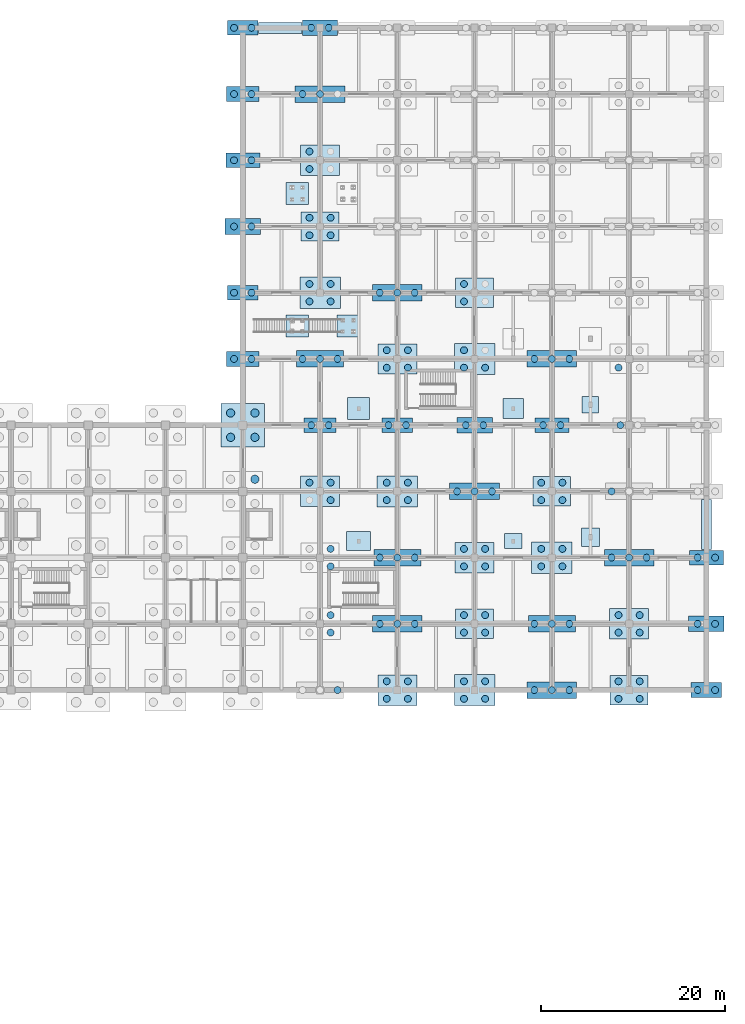
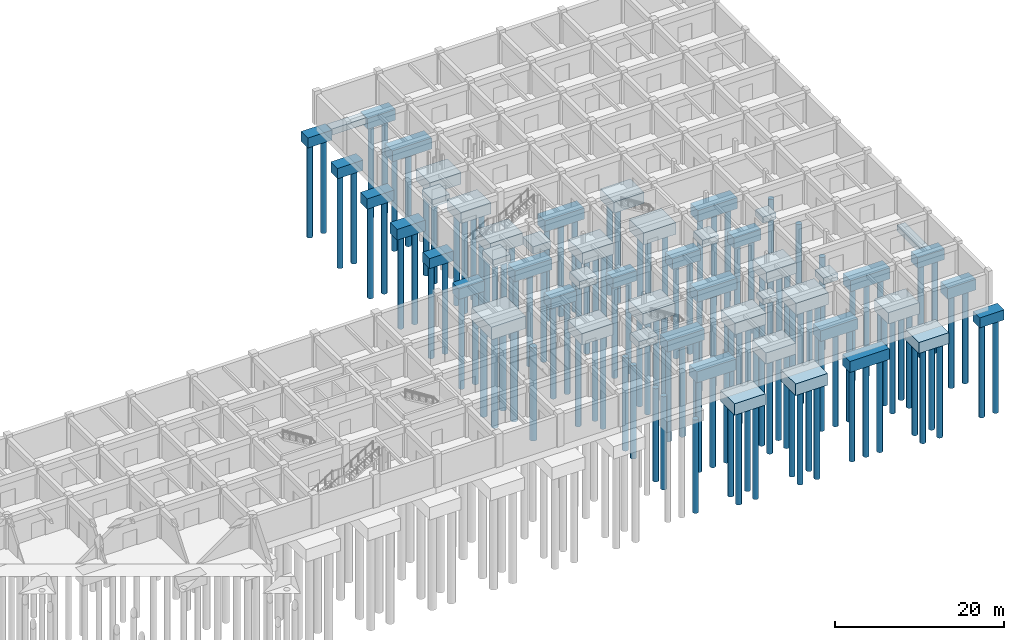
# One storey, part 4 of 38: 128 piles, 52 footings.
"""IFC4 building model written with IfcOpenShell, lengths in metres."""

from ifc_helpers import new_model, si_unit, derived_unit, direction, frame, origin, origin_2d, place, context, subcontext, project, spatial, rectangle, circle, extrude, material, material_profile, profile_set, type_object, element, save


model = new_model("IFC4")

# Units and contexts
model_context = context("Model", 3, precision=1e-05, world=origin(), true_north=direction((0.0, 1.0)))
body_context = subcontext(model_context, "Body", "Model", "MODEL_VIEW")
ifc_project = project(units=[si_unit("LENGTHUNIT", "METRE"), si_unit("AREAUNIT", "SQUARE_METRE"), si_unit("VOLUMEUNIT", "CUBIC_METRE"), si_unit("PLANEANGLEUNIT", "RADIAN"), si_unit("MASSUNIT", "GRAM", prefix="KILO"), derived_unit("THERMALTRANSMITTANCEUNIT", [(si_unit("MASSUNIT", "GRAM", prefix="KILO"), 1), (si_unit("TIMEUNIT", "SECOND"), -3), (si_unit("THERMODYNAMICTEMPERATUREUNIT", "KELVIN"), -1)])], contexts=[model_context])

# Site, building, storey
site_placement = place(None, origin())
site = spatial("IfcSite", under=ifc_project, at=site_placement, CompositionType="ELEMENT")
building_placement = place(site_placement, origin())
building = spatial("IfcBuilding", under=site, at=building_placement, Name="Veldstrom Oceanarium and Marine Research Institute", CompositionType="ELEMENT")
storey_placement = place(building_placement, frame((0.0, 0.0, -9.60009765625)))
storey = spatial("IfcBuildingStorey", under=building, at=storey_placement, Name="B02", CompositionType="ELEMENT", Elevation=-9.60009765625)

# Footings
ifc_material_1 = material(Name="Concrete C40/50", Category="concrete")
footing_type_1 = type_object("IfcFootingType", Name="STR-FTG-PC01", PredefinedType="PILE_CAP", material=ifc_material_1)
footing_1_placement = place(storey_placement, frame((117.60009765625, 72.0, -3.0), z_axis=(0.0, 0.0, 1.0), x_axis=(1.0, 0.0, 0.0)))
element("IfcFooting", 1, at=footing_1_placement, inside=storey, type_object=footing_type_1, Name="Pile Cap PC01 15/L", PredefinedType="PILE_CAP", context=body_context, shape_type="SweptSolid", body=[
    extrude(rectangle(XDim=4.699951171875, YDim=4.699951171875, at=origin_2d()), origin(), (0.0, 0.0, 1.0), 1.800048828125),
])
ifc_material_2 = material(Name="Concrete C40/50", Category="concrete")
footing_type_2 = type_object("IfcFootingType", Name="STR-FTG-PC06", PredefinedType="PILE_CAP", material=ifc_material_2)
for number, where, z_axis, x_axis, name in (
    (2, (126.0, 108.0, -2.800048828125), (0.0, 0.0, 1.0), (1.0, 0.0, 0.0), "Pile Cap PC06 16/R"),
    (3, (134.39990234375, 50.39990234375, -2.800048828125), (0.0, 0.0, 1.0), (1.0, 0.0, 0.0), "Pile Cap PC06 17/H"),
    (4, (134.39990234375, 86.39990234375, -2.800048828125), (0.0, 0.0, 1.0), (1.0, 0.0, 0.0), "Pile Cap PC06 17/N"),
    (5, (142.800048828125, 64.800048828125, -2.800048828125), (0.0, 0.0, 1.0), (1.0, 0.0, 0.0), "Pile Cap PC06 18/K"),
    (6, (151.199951171875, 43.199951171875, -2.800048828125), (0.0, 0.0, 1.0), (1.0, 0.0, 0.0), "Pile Cap PC06 19/G"),
    (7, (151.199951171875, 79.199951171875, -2.800048828125), (0.0, 0.0, 1.0), (1.0, 0.0, 0.0), "Pile Cap PC06 19/M"),
    (8, (159.60009765625, 57.60009765625, -2.800048828125), (0.0, 0.0, 1.0), (1.0, 0.0, 0.0), "Pile Cap PC06 20/J"),
):
    element("IfcFooting", number, at=place(storey_placement, frame(where, z_axis=z_axis, x_axis=x_axis)), inside=storey, type_object=footing_type_2, Name=name, PredefinedType="PILE_CAP", context=body_context, shape_type="SweptSolid", body=[
        extrude(rectangle(XDim=5.39990234375, YDim=1.800048828125, at=origin_2d()), origin(), (0.0, 0.0, 1.0), 1.60009765625),
    ])
ifc_material_3 = material(Name="Concrete C40/50", Category="concrete")
footing_type_3 = type_object("IfcFootingType", Name="STR-FTG-PC07", PredefinedType="PILE_CAP", material=ifc_material_3)
for number, where, z_axis, x_axis, name in (
    (9, (126.0, 79.199951171875, -2.75), (0.0, 0.0, 1.0), (1.0, 0.0, 0.0), "Pile Cap PC07 16/M"),
    (10, (134.39990234375, 57.60009765625, -2.75), (0.0, 0.0, 1.0), (1.0, 0.0, 0.0), "Pile Cap PC07 17/J"),
    (11, (151.199951171875, 50.39990234375, -2.75), (0.0, 0.0, 1.0), (1.0, 0.0, 0.0), "Pile Cap PC07 19/H"),
):
    element("IfcFooting", number, at=place(storey_placement, frame(where, z_axis=z_axis, x_axis=x_axis)), inside=storey, type_object=footing_type_3, Name=name, PredefinedType="PILE_CAP", context=body_context, shape_type="SweptSolid", body=[
        extrude(rectangle(XDim=5.10009765625, YDim=1.800048828125, at=origin_2d()), origin(), (0.0, 0.0, 1.0), 1.550048828125),
    ])
ifc_material_4 = material(Name="Concrete C40/50", Category="concrete")
footing_type_4 = type_object("IfcFootingType", Name="STR-FTG-PC08", PredefinedType="PILE_CAP", material=ifc_material_4)
for number, where, z_axis, x_axis, name in (
    (12, (117.60009765625, 100.800048828125, -2.699951171875), (0.0, 0.0, 1.0), (1.0, 0.0, 0.0), "Pile Cap PC08 15/Q"),
    (13, (151.199951171875, 72.0, -2.699951171875), (0.0, 0.0, 1.0), (1.0, 0.0, 0.0), "Pile Cap PC08 19/L"),
    (14, (168.0, 57.60009765625, -2.699951171875), (0.0, 0.0, 1.0), (1.0, 0.0, 0.0), "Pile Cap PC08 21/J"),
):
    element("IfcFooting", number, at=place(storey_placement, frame(where, z_axis=z_axis, x_axis=x_axis)), inside=storey, type_object=footing_type_4, Name=name, PredefinedType="PILE_CAP", context=body_context, shape_type="SweptSolid", body=[
        extrude(rectangle(XDim=3.699951171875, YDim=1.60009765625, at=origin_2d()), origin(), (0.0, 0.0, 1.0), 1.5),
    ])
ifc_material_5 = material(Name="Concrete C40/50", Category="concrete")
footing_type_5 = type_object("IfcFootingType", Name="STR-FTG-PC09", PredefinedType="PILE_CAP", material=ifc_material_5)
for number, where, z_axis, x_axis, name in (
    (15, (117.60009765625, 79.199951171875, -2.699951171875), (0.0, 0.0, 1.0), (1.0, 0.0, 0.0), "Pile Cap PC09 15/M"),
    (16, (117.60009765625, 108.0, -2.699951171875), (0.0, 0.0, 1.0), (1.0, 0.0, 0.0), "Pile Cap PC09 15/R"),
    (17, (126.0, 72.0, -2.699951171875), (0.0, 0.0, 1.0), (1.0, 0.0, 0.0), "Pile Cap PC09 16/L"),
):
    element("IfcFooting", number, at=place(storey_placement, frame(where, z_axis=z_axis, x_axis=x_axis)), inside=storey, type_object=footing_type_5, Name=name, PredefinedType="PILE_CAP", context=body_context, shape_type="SweptSolid", body=[
        extrude(rectangle(XDim=3.5, YDim=1.60009765625, at=origin_2d()), origin(), (0.0, 0.0, 1.0), 1.5),
    ])
ifc_material_6 = material(Name="Concrete C40/50", Category="concrete")
footing_type_6 = type_object("IfcFootingType", Name="STR-FTG-PC10", PredefinedType="PILE_CAP", material=ifc_material_6)
for number, where, z_axis, x_axis, name in (
    (18, (117.60009765625, 86.39990234375, -2.64990234375), (0.0, 0.0, 1.0), (1.0, 0.0, 0.0), "Pile Cap PC10 15/N"),
    (19, (117.60009765625, 115.199951171875, -2.64990234375), (0.0, 0.0, 1.0), (1.0, 0.0, 0.0), "Pile Cap PC10 15/S"),
    (20, (134.39990234375, 72.0, -2.64990234375), (0.0, 0.0, 1.0), (1.0, 0.0, 0.0), "Pile Cap PC10 17/L"),
    (21, (168.0, 43.199951171875, -2.64990234375), (0.0, 0.0, 1.0), (1.0, 0.0, 0.0), "Pile Cap PC10 21/G"),
):
    element("IfcFooting", number, at=place(storey_placement, frame(where, z_axis=z_axis, x_axis=x_axis)), inside=storey, type_object=footing_type_6, Name=name, PredefinedType="PILE_CAP", context=body_context, shape_type="SweptSolid", body=[
        extrude(rectangle(XDim=3.300048828125, YDim=1.60009765625, at=origin_2d()), origin(), (0.0, 0.0, 1.0), 1.449951171875),
    ])
ifc_material_7 = material(Name="Concrete C40/50", Category="concrete")
footing_type_7 = type_object("IfcFootingType", Name="STR-FTG-PC11", PredefinedType="PILE_CAP", material=ifc_material_7)
for number, where, z_axis, x_axis, name in (
    (22, (126.0, 86.39990234375, -2.89990234375), (0.0, 0.0, 1.0), (1.0, 0.0, 0.0), "Pile Cap PC11 16/N"),
    (23, (134.39990234375, 64.800048828125, -2.89990234375), (0.0, 0.0, 1.0), (1.0, 0.0, 0.0), "Pile Cap PC11 17/K"),
    (24, (142.800048828125, 43.199951171875, -2.89990234375), (0.0, 0.0, 1.0), (1.0, 0.0, 0.0), "Pile Cap PC11 18/G"),
    (25, (142.800048828125, 79.199951171875, -2.89990234375), (0.0, 0.0, 1.0), (1.0, 0.0, 0.0), "Pile Cap PC11 18/M"),
    (26, (151.199951171875, 57.60009765625, -2.89990234375), (0.0, 0.0, 1.0), (1.0, 0.0, 0.0), "Pile Cap PC11 19/J"),
):
    element("IfcFooting", number, at=place(storey_placement, frame(where, z_axis=z_axis, x_axis=x_axis)), inside=storey, type_object=footing_type_7, Name=name, PredefinedType="PILE_CAP", context=body_context, shape_type="SweptSolid", body=[
        extrude(rectangle(XDim=4.39990234375, YDim=3.39990234375, at=origin_2d()), origin(), (0.0, 0.0, 1.0), 1.699951171875),
    ])
ifc_material_8 = material(Name="Concrete C40/50", Category="concrete")
footing_type_8 = type_object("IfcFootingType", Name="STR-FTG-PC12", PredefinedType="PILE_CAP", material=ifc_material_8)
for number, where, z_axis, x_axis, name in (
    (27, (126.0, 93.60009765625, -2.800048828125), (0.0, 0.0, 1.0), (1.0, 0.0, 0.0), "Pile Cap PC12 16/P"),
    (28, (142.800048828125, 50.39990234375, -2.800048828125), (0.0, 0.0, 1.0), (1.0, 0.0, 0.0), "Pile Cap PC12 18/H"),
    (29, (142.800048828125, 86.39990234375, -2.800048828125), (0.0, 0.0, 1.0), (1.0, 0.0, 0.0), "Pile Cap PC12 18/N"),
    (30, (151.199951171875, 64.800048828125, -2.800048828125), (0.0, 0.0, 1.0), (1.0, 0.0, 0.0), "Pile Cap PC12 19/K"),
    (31, (159.60009765625, 43.199951171875, -2.800048828125), (0.0, 0.0, 1.0), (1.0, 0.0, 0.0), "Pile Cap PC12 20/G"),
):
    element("IfcFooting", number, at=place(storey_placement, frame(where, z_axis=z_axis, x_axis=x_axis)), inside=storey, type_object=footing_type_8, Name=name, PredefinedType="PILE_CAP", context=body_context, shape_type="SweptSolid", body=[
        extrude(rectangle(XDim=4.10009765625, YDim=3.199951171875, at=origin_2d()), origin(), (0.0, 0.0, 1.0), 1.60009765625),
    ])
ifc_material_9 = material(Name="Concrete C40/50", Category="concrete")
footing_type_9 = type_object("IfcFootingType", Name="STR-FTG-PC13", PredefinedType="PILE_CAP", material=ifc_material_9)
for number, where, z_axis, x_axis, name in (
    (32, (126.0, 64.800048828125, -2.849853515625), (0.0, 0.0, 1.0), (1.0, 0.0, 0.0), "Pile Cap PC13 16/K"),
    (33, (126.0, 100.800048828125, -2.849853515625), (0.0, 0.0, 1.0), (1.0, 0.0, 0.0), "Pile Cap PC13 16/Q"),
    (34, (134.39990234375, 43.199951171875, -2.849853515625), (0.0, 0.0, 1.0), (1.0, 0.0, 0.0), "Pile Cap PC13 17/G"),
    (35, (134.39990234375, 79.199951171875, -2.849853515625), (0.0, 0.0, 1.0), (1.0, 0.0, 0.0), "Pile Cap PC13 17/M"),
    (36, (142.800048828125, 57.60009765625, -2.849853515625), (0.0, 0.0, 1.0), (1.0, 0.0, 0.0), "Pile Cap PC13 18/J"),
    (37, (159.60009765625, 50.39990234375, -2.849853515625), (0.0, 0.0, 1.0), (1.0, 0.0, 0.0), "Pile Cap PC13 20/H"),
):
    element("IfcFooting", number, at=place(storey_placement, frame(where, z_axis=z_axis, x_axis=x_axis)), inside=storey, type_object=footing_type_9, Name=name, PredefinedType="PILE_CAP", context=body_context, shape_type="SweptSolid", body=[
        extrude(rectangle(XDim=4.25, YDim=3.300048828125, at=origin_2d()), origin(), (0.0, 0.0, 1.0), 1.64990234375),
    ])
ifc_material_10 = material(Name="Concrete C40/50", Category="concrete")
footing_type_10 = type_object("IfcFootingType", Name="STR-FTG-PC14", PredefinedType="PILE_CAP", material=ifc_material_10)
for number, where, z_axis, x_axis, name in (
    (38, (117.60009765625, 93.60009765625, -2.75), (0.0, 0.0, 1.0), (1.0, 0.0, 0.0), "Pile Cap PC14 15/P"),
    (39, (126.0, 115.199951171875, -2.75), (0.0, 0.0, 1.0), (1.0, 0.0, 0.0), "Pile Cap PC14 16/S"),
    (40, (142.800048828125, 72.0, -2.75), (0.0, 0.0, 1.0), (1.0, 0.0, 0.0), "Pile Cap PC14 18/L"),
    (41, (168.0, 50.39990234375, -2.75), (0.0, 0.0, 1.0), (1.0, 0.0, 0.0), "Pile Cap PC14 21/H"),
):
    element("IfcFooting", number, at=place(storey_placement, frame(where, z_axis=z_axis, x_axis=x_axis)), inside=storey, type_object=footing_type_10, Name=name, PredefinedType="PILE_CAP", context=body_context, shape_type="SweptSolid", body=[
        extrude(rectangle(XDim=3.85009765625, YDim=1.699951171875, at=origin_2d()), origin(), (0.0, 0.0, 1.0), 1.550048828125),
    ])
ifc_material_11 = material(Name="Concrete C40/50", Category="concrete")
footing_type_11 = type_object("IfcFootingType", Name="STR-FTG-PF01", PredefinedType="PAD_FOOTING", material=ifc_material_11)
for number, where, z_axis, x_axis, name in (
    (42, (130.199951171875, 73.800048828125, -2.300048828125), (0.0, 0.0, 1.0), (1.0, 0.0, 0.0), "Pad Footing PF01-07"),
    (43, (123.52001953125, 82.800048828125, -2.300048828125), (0.0, 0.0, 1.0), (1.0, 0.0, 0.0), "Gallery Stair MID Footing PF01-GS3"),
    (44, (129.0400390625, 82.800048828125, -2.300048828125), (0.0, 0.0, 1.0), (1.0, 0.0, 0.0), "Gallery Stair TOP Footing PF01-GS3"),
    (45, (123.52001953125, 97.199951171875, -2.300048828125), (0.0, 0.0, 1.0), (1.0, 0.0, 0.0), "Gallery Stair MID Footing PF01-GS6"),
):
    element("IfcFooting", number, at=place(storey_placement, frame(where, z_axis=z_axis, x_axis=x_axis)), inside=storey, type_object=footing_type_11, Name=name, PredefinedType="PAD_FOOTING", context=body_context, shape_type="SweptSolid", body=[
        extrude(rectangle(XDim=2.39990234375, YDim=2.39990234375, at=origin_2d()), origin(), (0.0, 0.0, 1.0), 1.10009765625),
    ])
ifc_material_12 = material(Name="Concrete C40/50", Category="concrete")
footing_type_12 = type_object("IfcFootingType", Name="STR-FTG-PF02", PredefinedType="PAD_FOOTING", material=ifc_material_12)
footing_2_placement = place(storey_placement, frame((147.0, 73.800048828125, -2.199951171875), z_axis=(0.0, 0.0, 1.0), x_axis=(1.0, 0.0, 0.0)))
element("IfcFooting", 46, at=footing_2_placement, inside=storey, type_object=footing_type_12, Name="Pad Footing PF02-08", PredefinedType="PAD_FOOTING", context=body_context, shape_type="SweptSolid", body=[
    extrude(rectangle(XDim=2.199951171875, YDim=2.199951171875, at=origin_2d()), origin(), (0.0, 0.0, 1.0), 1.0),
])
ifc_material_13 = material(Name="Concrete C40/50", Category="concrete")
footing_type_13 = type_object("IfcFootingType", Name="STR-FTG-PF03", PredefinedType="PAD_FOOTING", material=ifc_material_13)
footing_3_placement = place(storey_placement, frame((155.39990234375, 59.800048828125, -2.14990234375), z_axis=(0.0, 0.0, 1.0), x_axis=(1.0, 0.0, 0.0)))
element("IfcFooting", 47, at=footing_3_placement, inside=storey, type_object=footing_type_13, Name="Pad Footing PF03-03", PredefinedType="PAD_FOOTING", context=body_context, shape_type="SweptSolid", body=[
    extrude(rectangle(XDim=2.0, YDim=2.0, at=origin_2d()), origin(), (0.0, 0.0, 1.0), 0.949951171875),
])
ifc_material_14 = material(Name="Concrete C40/50", Category="concrete")
footing_type_14 = type_object("IfcFootingType", Name="STR-FTG-PF04", PredefinedType="PAD_FOOTING", material=ifc_material_14)
footing_4_placement = place(storey_placement, frame((155.39990234375, 74.199951171875, -2.099853515625), z_axis=(0.0, 0.0, 1.0), x_axis=(1.0, 0.0, 0.0)))
element("IfcFooting", 48, at=footing_4_placement, inside=storey, type_object=footing_type_14, Name="Pad Footing PF04-04", PredefinedType="PAD_FOOTING", context=body_context, shape_type="SweptSolid", body=[
    extrude(rectangle(XDim=1.800048828125, YDim=1.800048828125, at=origin_2d()), origin(), (0.0, 0.0, 1.0), 0.89990234375),
])
ifc_material_15 = material(Name="Concrete C40/50", Category="concrete")
footing_type_15 = type_object("IfcFootingType", Name="STR-FTG-PF05", PredefinedType="PAD_FOOTING", material=ifc_material_15)
footing_5_placement = place(storey_placement, frame((130.199951171875, 59.39990234375, -2.25), z_axis=(0.0, 0.0, 1.0), x_axis=(1.0, 0.0, 0.0)))
element("IfcFooting", 49, at=footing_5_placement, inside=storey, type_object=footing_type_15, Name="Pad Footing PF05-05", PredefinedType="PAD_FOOTING", context=body_context, shape_type="SweptSolid", body=[
    extrude(rectangle(XDim=2.60009765625, YDim=2.10009765625, at=origin_2d()), origin(), (0.0, 0.0, 1.0), 1.050048828125),
])
ifc_material_16 = material(Name="Concrete C40/50", Category="concrete")
footing_type_16 = type_object("IfcFootingType", Name="STR-FTG-PF06", PredefinedType="PAD_FOOTING", material=ifc_material_16)
footing_6_placement = place(storey_placement, frame((147.0, 59.39990234375, -2.050048828125), z_axis=(0.0, 0.0, 1.0), x_axis=(1.0, 0.0, 0.0)))
element("IfcFooting", 50, at=footing_6_placement, inside=storey, type_object=footing_type_16, Name="Pad Footing PF06-06", PredefinedType="PAD_FOOTING", context=body_context, shape_type="SweptSolid", body=[
    extrude(rectangle(XDim=1.89990234375, YDim=1.60009765625, at=origin_2d()), origin(), (0.0, 0.0, 1.0), 0.85009765625),
])
ifc_material_17 = material(Name="Concrete C40/50", Category="concrete")
footing_type_17 = type_object("IfcFootingType", Name="STR-FTG-SF03", PredefinedType="STRIP_FOOTING", material=ifc_material_17)
footing_7_placement = place(storey_placement, frame((121.66259765625, 115.199951171875, -2.099853515625), z_axis=(0.0, 0.0, 1.0), x_axis=(1.0, 0.0, 0.0)))
element("IfcFooting", 51, at=footing_7_placement, inside=storey, type_object=footing_type_17, Name="Continuous Wall Strip Footing SF03-08", PredefinedType="STRIP_FOOTING", context=body_context, shape_type="SweptSolid", body=[
    extrude(rectangle(XDim=4.705078125, YDim=1.199951171875, at=origin_2d()), origin(), (0.0, 0.0, 1.0), 0.89990234375),
])
ifc_material_18 = material(Name="Concrete C40/50", Category="concrete")
footing_type_18 = type_object("IfcFootingType", Name="STR-FTG-SF04", PredefinedType="STRIP_FOOTING", material=ifc_material_18)
footing_8_placement = place(storey_placement, frame((168.0, 61.199951171875, -2.050048828125), z_axis=(0.0, 0.0, 1.0), x_axis=(0.0, 1.0, 0.0)))
element("IfcFooting", 52, at=footing_8_placement, inside=storey, type_object=footing_type_18, Name="Continuous Wall Strip Footing SF04-17", PredefinedType="STRIP_FOOTING", context=body_context, shape_type="SweptSolid", body=[
    extrude(rectangle(XDim=5.47998046875, YDim=1.10009765625, at=origin_2d()), origin(), (0.0, 0.0, 1.0), 0.85009765625),
])

# Piles
ifc_material_19 = material(Name="Concrete C40/50", Category="concrete")
ifc_material_profile_1 = material_profile(ifc_material_19, circle(Radius=0.375, at=origin_2d()), Name="PILE-D750")
ifc_profile_set_1 = profile_set([ifc_material_profile_1], Name="Concrete C40/50")
pile_type_1 = type_object("IfcPileType", Name="STR-PILE-PL1", PredefinedType="BORED", material=ifc_profile_set_1)
for number, where, z_axis, x_axis, name in (
    (53, (116.64990234375, 79.199951171875, -2.699951171875), (0.0, 0.0, -1.0), (1.0, 0.0, 0.0), "Bored Pile PL1-420"),
    (54, (118.550048828125, 79.199951171875, -2.699951171875), (0.0, 0.0, -1.0), (1.0, 0.0, 0.0), "Bored Pile PL1-421"),
    (55, (116.64990234375, 86.39990234375, -2.64990234375), (0.0, 0.0, -1.0), (1.0, 0.0, 0.0), "Bored Pile PL1-422"),
    (56, (118.550048828125, 86.39990234375, -2.64990234375), (0.0, 0.0, -1.0), (1.0, 0.0, 0.0), "Bored Pile PL1-423"),
    (57, (116.64990234375, 93.60009765625, -2.75), (0.0, 0.0, -1.0), (1.0, 0.0, 0.0), "Bored Pile PL1-424"),
    (58, (118.550048828125, 93.60009765625, -2.75), (0.0, 0.0, -1.0), (1.0, 0.0, 0.0), "Bored Pile PL1-425"),
    (59, (116.64990234375, 100.800048828125, -2.699951171875), (0.0, 0.0, -1.0), (1.0, 0.0, 0.0), "Bored Pile PL1-426"),
    (60, (118.550048828125, 100.800048828125, -2.699951171875), (0.0, 0.0, -1.0), (1.0, 0.0, 0.0), "Bored Pile PL1-427"),
    (61, (116.64990234375, 108.0, -2.699951171875), (0.0, 0.0, -1.0), (1.0, 0.0, 0.0), "Bored Pile PL1-428"),
    (62, (118.550048828125, 108.0, -2.699951171875), (0.0, 0.0, -1.0), (1.0, 0.0, 0.0), "Bored Pile PL1-429"),
    (63, (116.64990234375, 115.199951171875, -2.64990234375), (0.0, 0.0, -1.0), (1.0, 0.0, 0.0), "Bored Pile PL1-430"),
    (64, (118.550048828125, 115.199951171875, -2.64990234375), (0.0, 0.0, -1.0), (1.0, 0.0, 0.0), "Bored Pile PL1-431"),
    (65, (127.89990234375, 43.199951171875, -2.75), (0.0, 0.0, -1.0), (1.0, 0.0, 0.0), "Bored Pile PL1-434"),
    (66, (127.14990234375, 49.449951171875, -2.89990234375), (0.0, 0.0, -1.0), (1.0, 0.0, 0.0), "Bored Pile PL1-436"),
    (67, (127.14990234375, 51.35009765625, -2.89990234375), (0.0, 0.0, -1.0), (1.0, 0.0, 0.0), "Bored Pile PL1-438"),
    (68, (127.14990234375, 56.64990234375, -2.7998046875), (0.0, 0.0, -1.0), (1.0, 0.0, 0.0), "Bored Pile PL1-440"),
    (69, (127.14990234375, 58.550048828125, -2.7998046875), (0.0, 0.0, -1.0), (1.0, 0.0, 0.0), "Bored Pile PL1-442"),
    (70, (127.14990234375, 63.85009765625, -2.849853515625), (0.0, 0.0, -1.0), (1.0, 0.0, 0.0), "Bored Pile PL1-444"),
    (71, (124.85009765625, 65.75, -2.849853515625), (0.0, 0.0, -1.0), (1.0, 0.0, 0.0), "Bored Pile PL1-445"),
    (72, (127.14990234375, 65.75, -2.849853515625), (0.0, 0.0, -1.0), (1.0, 0.0, 0.0), "Bored Pile PL1-446"),
    (73, (125.050048828125, 72.0, -2.699951171875), (0.0, 0.0, -1.0), (1.0, 0.0, 0.0), "Bored Pile PL1-447"),
    (74, (126.949951171875, 72.0, -2.699951171875), (0.0, 0.0, -1.0), (1.0, 0.0, 0.0), "Bored Pile PL1-448"),
    (75, (124.10009765625, 79.199951171875, -2.75), (0.0, 0.0, -1.0), (1.0, 0.0, 0.0), "Bored Pile PL1-449"),
    (76, (126.0, 79.199951171875, -2.75), (0.0, 0.0, -1.0), (1.0, 0.0, 0.0), "Bored Pile PL1-450"),
    (77, (127.89990234375, 79.199951171875, -2.75), (0.0, 0.0, -1.0), (1.0, 0.0, 0.0), "Bored Pile PL1-451"),
    (78, (124.85009765625, 85.449951171875, -2.89990234375), (0.0, 0.0, -1.0), (1.0, 0.0, 0.0), "Bored Pile PL1-452"),
    (79, (127.14990234375, 85.449951171875, -2.89990234375), (0.0, 0.0, -1.0), (1.0, 0.0, 0.0), "Bored Pile PL1-453"),
    (80, (124.85009765625, 87.35009765625, -2.89990234375), (0.0, 0.0, -1.0), (1.0, 0.0, 0.0), "Bored Pile PL1-454"),
    (81, (127.14990234375, 87.35009765625, -2.89990234375), (0.0, 0.0, -1.0), (1.0, 0.0, 0.0), "Bored Pile PL1-455"),
    (82, (124.85009765625, 92.64990234375, -2.7998046875), (0.0, 0.0, -1.0), (1.0, 0.0, 0.0), "Bored Pile PL1-456"),
    (83, (127.14990234375, 92.64990234375, -2.7998046875), (0.0, 0.0, -1.0), (1.0, 0.0, 0.0), "Bored Pile PL1-457"),
    (84, (124.85009765625, 94.550048828125, -2.7998046875), (0.0, 0.0, -1.0), (1.0, 0.0, 0.0), "Bored Pile PL1-458"),
    (85, (127.14990234375, 94.550048828125, -2.7998046875), (0.0, 0.0, -1.0), (1.0, 0.0, 0.0), "Bored Pile PL1-459"),
    (86, (124.85009765625, 99.85009765625, -2.849853515625), (0.0, 0.0, -1.0), (1.0, 0.0, 0.0), "Bored Pile PL1-460"),
    (87, (124.85009765625, 101.75, -2.849853515625), (0.0, 0.0, -1.0), (1.0, 0.0, 0.0), "Bored Pile PL1-462"),
    (88, (124.10009765625, 108.0, -2.7998046875), (0.0, 0.0, -1.0), (1.0, 0.0, 0.0), "Bored Pile PL1-464"),
    (89, (126.0, 108.0, -2.7998046875), (0.0, 0.0, -1.0), (1.0, 0.0, 0.0), "Bored Pile PL1-465"),
    (90, (125.050048828125, 115.199951171875, -2.75), (0.0, 0.0, -1.0), (1.0, 0.0, 0.0), "Bored Pile PL1-467"),
    (91, (126.949951171875, 115.199951171875, -2.75), (0.0, 0.0, -1.0), (1.0, 0.0, 0.0), "Bored Pile PL1-468"),
    (92, (133.25, 42.25, -2.849853515625), (0.0, 0.0, -1.0), (1.0, 0.0, 0.0), "Bored Pile PL1-469"),
    (93, (135.550048828125, 42.25, -2.849853515625), (0.0, 0.0, -1.0), (1.0, 0.0, 0.0), "Bored Pile PL1-470"),
    (94, (133.25, 44.14990234375, -2.849853515625), (0.0, 0.0, -1.0), (1.0, 0.0, 0.0), "Bored Pile PL1-471"),
    (95, (135.550048828125, 44.14990234375, -2.849853515625), (0.0, 0.0, -1.0), (1.0, 0.0, 0.0), "Bored Pile PL1-472"),
    (96, (132.5, 50.39990234375, -2.7998046875), (0.0, 0.0, -1.0), (1.0, 0.0, 0.0), "Bored Pile PL1-473"),
    (97, (134.39990234375, 50.39990234375, -2.7998046875), (0.0, 0.0, -1.0), (1.0, 0.0, 0.0), "Bored Pile PL1-474"),
    (98, (136.300048828125, 50.39990234375, -2.7998046875), (0.0, 0.0, -1.0), (1.0, 0.0, 0.0), "Bored Pile PL1-475"),
    (99, (132.5, 57.60009765625, -2.75), (0.0, 0.0, -1.0), (1.0, 0.0, 0.0), "Bored Pile PL1-476"),
    (100, (134.39990234375, 57.60009765625, -2.75), (0.0, 0.0, -1.0), (1.0, 0.0, 0.0), "Bored Pile PL1-477"),
    (101, (136.300048828125, 57.60009765625, -2.75), (0.0, 0.0, -1.0), (1.0, 0.0, 0.0), "Bored Pile PL1-478"),
    (102, (133.25, 63.85009765625, -2.89990234375), (0.0, 0.0, -1.0), (1.0, 0.0, 0.0), "Bored Pile PL1-479"),
    (103, (135.550048828125, 63.85009765625, -2.89990234375), (0.0, 0.0, -1.0), (1.0, 0.0, 0.0), "Bored Pile PL1-480"),
    (104, (133.25, 65.75, -2.89990234375), (0.0, 0.0, -1.0), (1.0, 0.0, 0.0), "Bored Pile PL1-481"),
    (105, (135.550048828125, 65.75, -2.89990234375), (0.0, 0.0, -1.0), (1.0, 0.0, 0.0), "Bored Pile PL1-482"),
    (106, (133.449951171875, 72.0, -2.64990234375), (0.0, 0.0, -1.0), (1.0, 0.0, 0.0), "Bored Pile PL1-483"),
    (107, (135.35009765625, 72.0, -2.64990234375), (0.0, 0.0, -1.0), (1.0, 0.0, 0.0), "Bored Pile PL1-484"),
    (108, (133.25, 78.25, -2.849853515625), (0.0, 0.0, -1.0), (1.0, 0.0, 0.0), "Bored Pile PL1-485"),
    (109, (135.550048828125, 78.25, -2.849853515625), (0.0, 0.0, -1.0), (1.0, 0.0, 0.0), "Bored Pile PL1-486"),
    (110, (133.25, 80.14990234375, -2.849853515625), (0.0, 0.0, -1.0), (1.0, 0.0, 0.0), "Bored Pile PL1-487"),
    (111, (135.550048828125, 80.14990234375, -2.849853515625), (0.0, 0.0, -1.0), (1.0, 0.0, 0.0), "Bored Pile PL1-488"),
    (112, (132.5, 86.39990234375, -2.7998046875), (0.0, 0.0, -1.0), (1.0, 0.0, 0.0), "Bored Pile PL1-489"),
    (113, (134.39990234375, 86.39990234375, -2.7998046875), (0.0, 0.0, -1.0), (1.0, 0.0, 0.0), "Bored Pile PL1-490"),
    (114, (136.300048828125, 86.39990234375, -2.7998046875), (0.0, 0.0, -1.0), (1.0, 0.0, 0.0), "Bored Pile PL1-491"),
    (115, (141.64990234375, 42.25, -2.89990234375), (0.0, 0.0, -1.0), (1.0, 0.0, 0.0), "Bored Pile PL1-505"),
    (116, (143.949951171875, 42.25, -2.89990234375), (0.0, 0.0, -1.0), (1.0, 0.0, 0.0), "Bored Pile PL1-506"),
    (117, (141.64990234375, 44.14990234375, -2.89990234375), (0.0, 0.0, -1.0), (1.0, 0.0, 0.0), "Bored Pile PL1-507"),
    (118, (143.949951171875, 44.14990234375, -2.89990234375), (0.0, 0.0, -1.0), (1.0, 0.0, 0.0), "Bored Pile PL1-508"),
    (119, (141.64990234375, 49.449951171875, -2.7998046875), (0.0, 0.0, -1.0), (1.0, 0.0, 0.0), "Bored Pile PL1-509"),
    (120, (143.949951171875, 49.449951171875, -2.7998046875), (0.0, 0.0, -1.0), (1.0, 0.0, 0.0), "Bored Pile PL1-510"),
    (121, (141.64990234375, 51.35009765625, -2.7998046875), (0.0, 0.0, -1.0), (1.0, 0.0, 0.0), "Bored Pile PL1-511"),
    (122, (143.949951171875, 51.35009765625, -2.7998046875), (0.0, 0.0, -1.0), (1.0, 0.0, 0.0), "Bored Pile PL1-512"),
    (123, (141.64990234375, 56.64990234375, -2.849853515625), (0.0, 0.0, -1.0), (1.0, 0.0, 0.0), "Bored Pile PL1-513"),
    (124, (143.949951171875, 56.64990234375, -2.849853515625), (0.0, 0.0, -1.0), (1.0, 0.0, 0.0), "Bored Pile PL1-514"),
    (125, (141.64990234375, 58.550048828125, -2.849853515625), (0.0, 0.0, -1.0), (1.0, 0.0, 0.0), "Bored Pile PL1-515"),
    (126, (143.949951171875, 58.550048828125, -2.849853515625), (0.0, 0.0, -1.0), (1.0, 0.0, 0.0), "Bored Pile PL1-516"),
    (127, (140.89990234375, 64.800048828125, -2.7998046875), (0.0, 0.0, -1.0), (1.0, 0.0, 0.0), "Bored Pile PL1-517"),
    (128, (142.800048828125, 64.800048828125, -2.7998046875), (0.0, 0.0, -1.0), (1.0, 0.0, 0.0), "Bored Pile PL1-518"),
    (129, (144.699951171875, 64.800048828125, -2.7998046875), (0.0, 0.0, -1.0), (1.0, 0.0, 0.0), "Bored Pile PL1-519"),
    (130, (141.85009765625, 72.0, -2.75), (0.0, 0.0, -1.0), (1.0, 0.0, 0.0), "Bored Pile PL1-520"),
    (131, (143.75, 72.0, -2.75), (0.0, 0.0, -1.0), (1.0, 0.0, 0.0), "Bored Pile PL1-521"),
    (132, (141.64990234375, 78.25, -2.89990234375), (0.0, 0.0, -1.0), (1.0, 0.0, 0.0), "Bored Pile PL1-522"),
    (133, (143.949951171875, 78.25, -2.89990234375), (0.0, 0.0, -1.0), (1.0, 0.0, 0.0), "Bored Pile PL1-523"),
    (134, (141.64990234375, 80.14990234375, -2.89990234375), (0.0, 0.0, -1.0), (1.0, 0.0, 0.0), "Bored Pile PL1-524"),
    (135, (141.64990234375, 85.449951171875, -2.7998046875), (0.0, 0.0, -1.0), (1.0, 0.0, 0.0), "Bored Pile PL1-526"),
    (136, (141.64990234375, 87.35009765625, -2.7998046875), (0.0, 0.0, -1.0), (1.0, 0.0, 0.0), "Bored Pile PL1-528"),
    (137, (149.300048828125, 43.199951171875, -2.7998046875), (0.0, 0.0, -1.0), (1.0, 0.0, 0.0), "Bored Pile PL1-542"),
    (138, (151.199951171875, 43.199951171875, -2.7998046875), (0.0, 0.0, -1.0), (1.0, 0.0, 0.0), "Bored Pile PL1-543"),
    (139, (153.10009765625, 43.199951171875, -2.7998046875), (0.0, 0.0, -1.0), (1.0, 0.0, 0.0), "Bored Pile PL1-544"),
    (140, (149.300048828125, 50.39990234375, -2.75), (0.0, 0.0, -1.0), (1.0, 0.0, 0.0), "Bored Pile PL1-545"),
    (141, (151.199951171875, 50.39990234375, -2.75), (0.0, 0.0, -1.0), (1.0, 0.0, 0.0), "Bored Pile PL1-546"),
    (142, (153.10009765625, 50.39990234375, -2.75), (0.0, 0.0, -1.0), (1.0, 0.0, 0.0), "Bored Pile PL1-547"),
    (143, (150.050048828125, 56.64990234375, -2.89990234375), (0.0, 0.0, -1.0), (1.0, 0.0, 0.0), "Bored Pile PL1-548"),
    (144, (152.35009765625, 56.64990234375, -2.89990234375), (0.0, 0.0, -1.0), (1.0, 0.0, 0.0), "Bored Pile PL1-549"),
    (145, (150.050048828125, 58.550048828125, -2.89990234375), (0.0, 0.0, -1.0), (1.0, 0.0, 0.0), "Bored Pile PL1-550"),
    (146, (152.35009765625, 58.550048828125, -2.89990234375), (0.0, 0.0, -1.0), (1.0, 0.0, 0.0), "Bored Pile PL1-551"),
    (147, (150.050048828125, 63.85009765625, -2.7998046875), (0.0, 0.0, -1.0), (1.0, 0.0, 0.0), "Bored Pile PL1-552"),
    (148, (152.35009765625, 63.85009765625, -2.7998046875), (0.0, 0.0, -1.0), (1.0, 0.0, 0.0), "Bored Pile PL1-553"),
    (149, (150.050048828125, 65.75, -2.7998046875), (0.0, 0.0, -1.0), (1.0, 0.0, 0.0), "Bored Pile PL1-554"),
    (150, (152.35009765625, 65.75, -2.7998046875), (0.0, 0.0, -1.0), (1.0, 0.0, 0.0), "Bored Pile PL1-555"),
    (151, (150.25, 72.0, -2.699951171875), (0.0, 0.0, -1.0), (1.0, 0.0, 0.0), "Bored Pile PL1-556"),
    (152, (152.14990234375, 72.0, -2.699951171875), (0.0, 0.0, -1.0), (1.0, 0.0, 0.0), "Bored Pile PL1-557"),
    (153, (149.300048828125, 79.199951171875, -2.7998046875), (0.0, 0.0, -1.0), (1.0, 0.0, 0.0), "Bored Pile PL1-558"),
    (154, (151.199951171875, 79.199951171875, -2.7998046875), (0.0, 0.0, -1.0), (1.0, 0.0, 0.0), "Bored Pile PL1-559"),
    (155, (153.10009765625, 79.199951171875, -2.7998046875), (0.0, 0.0, -1.0), (1.0, 0.0, 0.0), "Bored Pile PL1-560"),
    (156, (158.449951171875, 42.25, -2.7998046875), (0.0, 0.0, -1.0), (1.0, 0.0, 0.0), "Bored Pile PL1-578"),
    (157, (160.75, 42.25, -2.7998046875), (0.0, 0.0, -1.0), (1.0, 0.0, 0.0), "Bored Pile PL1-579"),
    (158, (158.449951171875, 44.14990234375, -2.7998046875), (0.0, 0.0, -1.0), (1.0, 0.0, 0.0), "Bored Pile PL1-580"),
    (159, (160.75, 44.14990234375, -2.7998046875), (0.0, 0.0, -1.0), (1.0, 0.0, 0.0), "Bored Pile PL1-581"),
    (160, (158.449951171875, 49.449951171875, -2.849853515625), (0.0, 0.0, -1.0), (1.0, 0.0, 0.0), "Bored Pile PL1-582"),
    (161, (160.75, 49.449951171875, -2.849853515625), (0.0, 0.0, -1.0), (1.0, 0.0, 0.0), "Bored Pile PL1-583"),
    (162, (158.449951171875, 51.35009765625, -2.849853515625), (0.0, 0.0, -1.0), (1.0, 0.0, 0.0), "Bored Pile PL1-584"),
    (163, (160.75, 51.35009765625, -2.849853515625), (0.0, 0.0, -1.0), (1.0, 0.0, 0.0), "Bored Pile PL1-585"),
    (164, (157.699951171875, 57.60009765625, -2.7998046875), (0.0, 0.0, -1.0), (1.0, 0.0, 0.0), "Bored Pile PL1-586"),
    (165, (159.60009765625, 57.60009765625, -2.7998046875), (0.0, 0.0, -1.0), (1.0, 0.0, 0.0), "Bored Pile PL1-587"),
    (166, (161.5, 57.60009765625, -2.7998046875), (0.0, 0.0, -1.0), (1.0, 0.0, 0.0), "Bored Pile PL1-588"),
    (167, (157.699951171875, 64.800048828125, -2.75), (0.0, 0.0, -1.0), (1.0, 0.0, 0.0), "Bored Pile PL1-589"),
    (168, (158.64990234375, 72.0, -2.699951171875), (0.0, 0.0, -1.0), (1.0, 0.0, 0.0), "Bored Pile PL1-592"),
    (169, (158.449951171875, 78.25, -2.7998046875), (0.0, 0.0, -1.0), (1.0, 0.0, 0.0), "Bored Pile PL1-594"),
    (170, (167.050048828125, 43.199951171875, -2.64990234375), (0.0, 0.0, -1.0), (1.0, 0.0, 0.0), "Bored Pile PL1-614"),
    (171, (168.949951171875, 43.199951171875, -2.64990234375), (0.0, 0.0, -1.0), (1.0, 0.0, 0.0), "Bored Pile PL1-615"),
    (172, (167.050048828125, 50.39990234375, -2.75), (0.0, 0.0, -1.0), (1.0, 0.0, 0.0), "Bored Pile PL1-616"),
    (173, (168.949951171875, 50.39990234375, -2.75), (0.0, 0.0, -1.0), (1.0, 0.0, 0.0), "Bored Pile PL1-617"),
    (174, (167.050048828125, 57.60009765625, -2.699951171875), (0.0, 0.0, -1.0), (1.0, 0.0, 0.0), "Bored Pile PL1-618"),
    (175, (168.949951171875, 57.60009765625, -2.699951171875), (0.0, 0.0, -1.0), (1.0, 0.0, 0.0), "Bored Pile PL1-619"),
):
    element("IfcPile", number, at=place(storey_placement, frame(where, z_axis=z_axis, x_axis=x_axis)), inside=storey, type_object=pile_type_1, Name=name, PredefinedType="BORED", context=body_context, shape_type="SweptSolid", body=[
        extrude(circle(Radius=0.375, at=origin_2d()), origin(), (0.0, 0.0, 1.0), 13.5),
    ])
ifc_material_20 = material(Name="Concrete C40/50", Category="concrete")
ifc_material_profile_2 = material_profile(ifc_material_20, circle(Radius=0.449951171875, at=origin_2d()), Name="PILE-D900")
ifc_profile_set_2 = profile_set([ifc_material_profile_2], Name="Concrete C40/50")
pile_type_2 = type_object("IfcPileType", Name="STR-PILE-PL2", PredefinedType="BORED", material=ifc_profile_set_2)
for number, where, z_axis, x_axis, name in (
    (176, (118.919921875, 66.1201171875, -3.0), (0.0, 0.0, -1.0), (1.0, 0.0, 0.0), "Bored Pile PL2-415"),
    (177, (116.280029296875, 70.679931640625, -3.0), (0.0, 0.0, -1.0), (1.0, 0.0, 0.0), "Bored Pile PL2-416"),
    (178, (118.919921875, 70.679931640625, -3.0), (0.0, 0.0, -1.0), (1.0, 0.0, 0.0), "Bored Pile PL2-417"),
    (179, (116.280029296875, 73.320068359375, -3.0), (0.0, 0.0, -1.0), (1.0, 0.0, 0.0), "Bored Pile PL2-418"),
    (180, (118.919921875, 73.320068359375, -3.0), (0.0, 0.0, -1.0), (1.0, 0.0, 0.0), "Bored Pile PL2-419"),
):
    element("IfcPile", number, at=place(storey_placement, frame(where, z_axis=z_axis, x_axis=x_axis)), inside=storey, type_object=pile_type_2, Name=name, PredefinedType="BORED", context=body_context, shape_type="SweptSolid", body=[
        extrude(circle(Radius=0.449951171875, at=origin_2d()), origin(), (0.0, 0.0, 1.0), 13.5),
    ])

save(model, "model.ifc")
